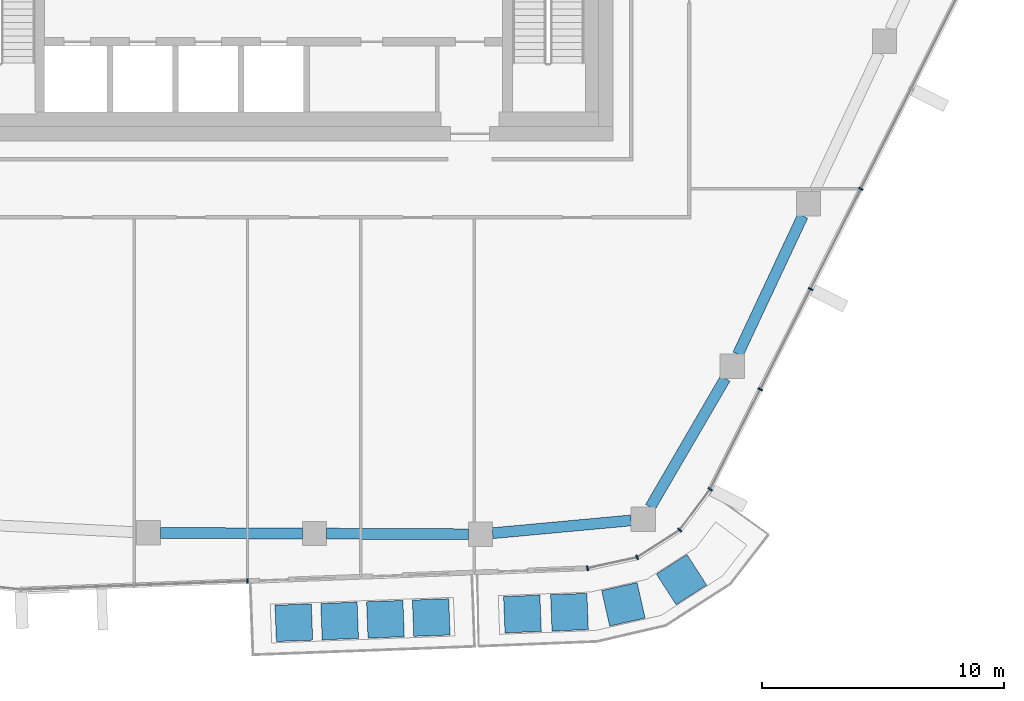
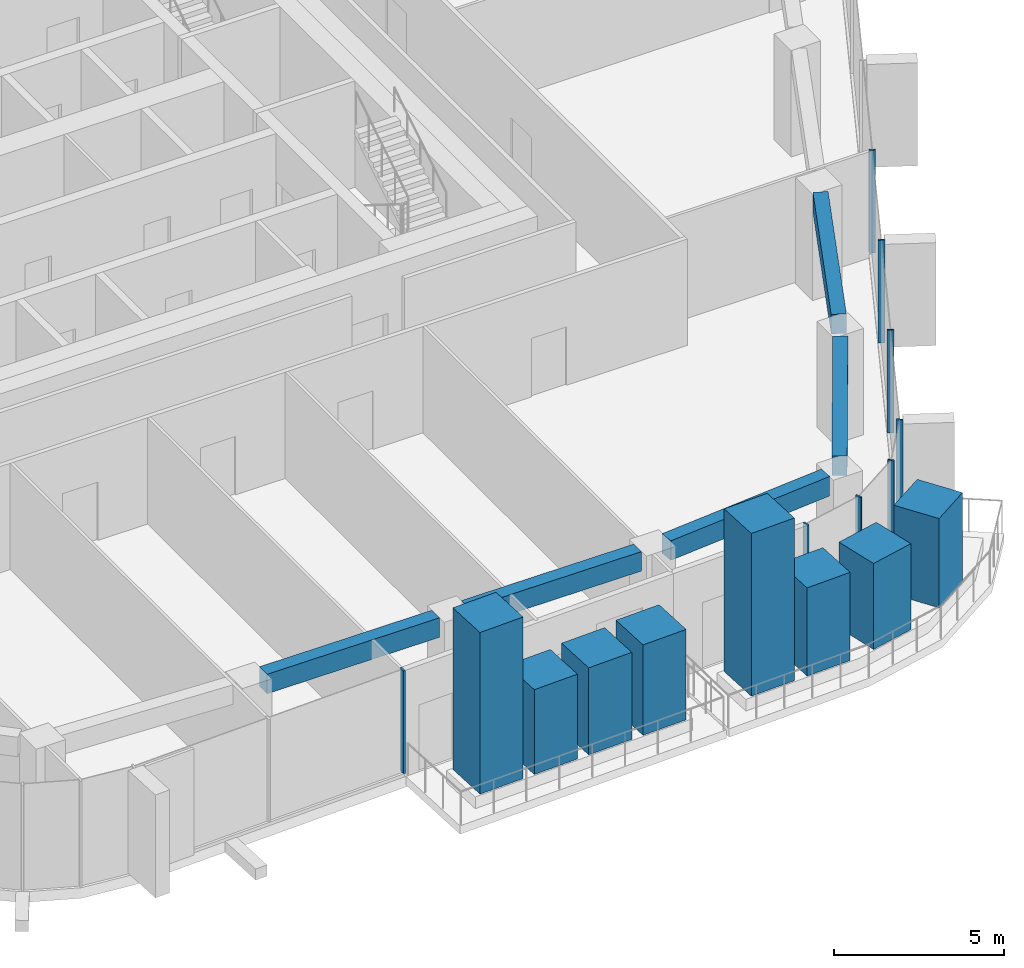
# One storey, part 4 of 23: 16 members, 5 beams, 3 elements without a shape of their own.
"""IFC4 building model written with IfcOpenShell, lengths in metres."""

import ifcopenshell
import ifcopenshell.guid

model = None  # the IFC model being written
_history = None  # IfcOwnerHistory: only IFC2X3 demands one
_inside = {}  # id of a spatial element -> (the spatial element, [elements in it])
_under = {}  # id of a project, library or spatial element -> (it, [spatial elements below it])
_declared = {}  # id of a project -> (the project, [libraries it declares])
_typed = {}  # id of a type object -> (the type object, [elements of that type])
_made_of = {}  # id of a material, layer set ... -> (it, [elements and type objects made of it])


def new_model(schema):
    """Start an empty IFC model of exactly this schema.

    Asked for "IFC4X3", IfcOpenShell would pick the latest addendum, in which some entities
    have other attributes; the version numbers below select the first issue.
    IFC2X3 requires an IfcOwnerHistory on every rooted entity: one is made here for all.
    """
    global model, _history
    if schema == "IFC4X3":
        model = ifcopenshell.file(schema_version=(4, 3, 0, 0))
    else:
        model = ifcopenshell.file(schema=schema)
    _inside.clear()
    _under.clear()
    _declared.clear()
    _typed.clear()
    _made_of.clear()
    _history = None
    if model.schema == "IFC2X3":
        org = make("IfcOrganization", Name="unknown")
        user = make(
            "IfcPersonAndOrganization",
            ThePerson=make("IfcPerson", FamilyName="unknown"),
            TheOrganization=org,
        )
        app = make(
            "IfcApplication",
            ApplicationDeveloper=org,
            Version="unknown",
            ApplicationFullName="unknown",
            ApplicationIdentifier="unknown",
        )
        _history = make(
            "IfcOwnerHistory",
            OwningUser=user,
            OwningApplication=app,
            ChangeAction="ADDED",
            CreationDate=0,
        )
    return model


def make(cls, **values):
    """One entity of the class cls with the attributes given. An attribute that is None is left unset."""
    return model.create_entity(
        cls, **{name: value for name, value in values.items() if value is not None}
    )


def rooted(cls, **values):
    """An entity with a GlobalId (a new one), such as an element, a storey or a relation."""
    return make(cls, GlobalId=ifcopenshell.guid.new(), OwnerHistory=_history, **values)


def si_unit(unit_type, name, prefix=None):
    """IfcSIUnit, for example si_unit("LENGTHUNIT", "METRE", prefix="MILLI")."""
    return make("IfcSIUnit", UnitType=unit_type, Prefix=prefix, Name=name)


def assignment(units):
    """IfcUnitAssignment: the units of a project."""
    return None if units is None else make("IfcUnitAssignment", Units=units)


def point(xyz):
    """IfcCartesianPoint."""
    return None if xyz is None else make("IfcCartesianPoint", Coordinates=xyz)


def direction(xyz):
    """IfcDirection."""
    return None if xyz is None else make("IfcDirection", DirectionRatios=xyz)


def frame(location, z_axis=None, x_axis=None):
    """IfcAxis2Placement3D, a coordinate frame: its origin and axes. An axis left out is left unset."""
    return make(
        "IfcAxis2Placement3D",
        Location=point(location),
        Axis=direction(z_axis),
        RefDirection=direction(x_axis),
    )


def frame_2d(location, x_axis=None):
    """IfcAxis2Placement2D, a coordinate frame in the plane: its origin and x axis."""
    return make(
        "IfcAxis2Placement2D", Location=point(location), RefDirection=direction(x_axis)
    )


def origin():
    """The frame at (0, 0, 0) with its axes left unset."""
    return frame((0.0, 0.0, 0.0))


def origin_2d():
    """The frame at (0, 0) in the plane with its x axis left unset."""
    return frame_2d((0.0, 0.0))


def place(relative_to, where):
    """IfcLocalPlacement: puts the frame where relative to a parent placement (None: the world)."""
    return make(
        "IfcLocalPlacement", PlacementRelTo=relative_to, RelativePlacement=where
    )


def context(
    kind, dimensions, precision=None, world=None, true_north=None, identifier=None
):
    """IfcGeometricRepresentationContext, for example the 3D "Model" context."""
    return make(
        "IfcGeometricRepresentationContext",
        ContextIdentifier=identifier,
        ContextType=kind,
        CoordinateSpaceDimension=dimensions,
        Precision=precision,
        WorldCoordinateSystem=world,
        TrueNorth=true_north,
    )


def subcontext(parent, identifier, kind, view, scale=None):
    """IfcGeometricRepresentationSubContext, for example "Body" below "Model"."""
    return make(
        "IfcGeometricRepresentationSubContext",
        ContextIdentifier=identifier,
        ContextType=kind,
        ParentContext=parent,
        TargetScale=scale,
        TargetView=view,
    )


def project(units=None, contexts=None):
    """IfcProject with its units and contexts."""
    return rooted(
        "IfcProject",
        Name="project",
        RepresentationContexts=contexts,
        UnitsInContext=assignment(units),
    )


def spatial(cls, under=None, at=None, **own):
    """A site, building, storey or space (cls), placed at a placement, below another one or the project."""
    s = rooted(cls, ObjectPlacement=at, **own)
    if under is not None:
        _under.setdefault(under.id(), (under, []))[1].append(s)
    return s


def profile(cls, at=None, kind="AREA", **sizes):
    """A parametric profile (cls). Its sizes go by their IFC names, for example OverallWidth=200.0."""
    return make(cls, ProfileType=kind, Position=at, **sizes)


def rectangle(**sizes):
    """IfcRectangleProfileDef."""
    return profile("IfcRectangleProfileDef", **sizes)


def extrude(swept, where, along, depth):
    """IfcExtrudedAreaSolid: the profile swept, set in the frame where, extruded along a direction by depth."""
    return make(
        "IfcExtrudedAreaSolid",
        SweptArea=swept,
        Position=where,
        ExtrudedDirection=direction(along),
        Depth=depth,
    )


def shape(context_of_items, identifier, shape_type, items):
    """IfcShapeRepresentation: the items that make up one representation, for example the "Body"."""
    return make(
        "IfcShapeRepresentation",
        ContextOfItems=context_of_items,
        RepresentationIdentifier=identifier,
        RepresentationType=shape_type,
        Items=items,
    )


def material(Name=None, Category=None):
    """IfcMaterial."""
    return make("IfcMaterial", Name=Name, Category=Category)


def layer(
    of_material, thickness, ventilated=None, Name=None, Category=None, Priority=None
):
    """IfcMaterialLayer: one layer of a wall or slab, of a material (None: an air gap)."""
    return make(
        "IfcMaterialLayer",
        Material=of_material,
        LayerThickness=thickness,
        IsVentilated=ventilated,
        Name=Name,
        Category=Category,
        Priority=Priority,
    )


def layer_set(layers, Name=None):
    """IfcMaterialLayerSet."""
    return make("IfcMaterialLayerSet", MaterialLayers=layers, LayerSetName=Name)


def material_profile(
    of_material, cross_section, Name=None, Category=None, Priority=None
):
    """IfcMaterialProfile: a cross section and its material."""
    return make(
        "IfcMaterialProfile",
        Name=Name,
        Material=of_material,
        Profile=cross_section,
        Priority=Priority,
        Category=Category,
    )


def profile_set(profiles, Name=None, composite=None):
    """IfcMaterialProfileSet."""
    return make(
        "IfcMaterialProfileSet",
        Name=Name,
        MaterialProfiles=profiles,
        CompositeProfile=composite,
    )


def made_of(thing, what):
    """Note that an element or type object is made of a material, layer set ...; save() writes the relation."""
    if what is not None:
        _made_of.setdefault(what.id(), (what, []))[1].append(thing)
    return thing


def type_object(cls, material=None, **own):
    """A type object (cls), such as IfcWallType, which elements share."""
    return made_of(rooted(cls, **own), material)


def element(
    cls,
    number,
    at=None,
    inside=None,
    cuts=None,
    type_object=None,
    material=None,
    context=None,
    identifier="Body",
    shape_type=None,
    held_by="IfcProductDefinitionShape",
    body=None,
    shapes=None,
    **own,
):
    """One element of the class cls, such as IfcWall. Its Tag is "e" and its number.

    at: its placement. inside: the storey or other place that contains it. cuts: it is an
    opening in that element (IfcRelVoidsElement). A single representation is given by context,
    identifier, shape_type and body (its items); several are given by shapes. held_by: the class
    of the entity that holds the representations. save() writes the other relations.
    """
    e = rooted(cls, Tag="e%d" % number, ObjectPlacement=at, **own)
    if body is not None:
        shapes = [shape(context, identifier, shape_type, body)]
    if shapes is not None:
        e.Representation = make(held_by, Representations=shapes)
    if inside is not None:
        _inside.setdefault(inside.id(), (inside, []))[1].append(e)
    if cuts is not None:
        rooted(
            "IfcRelVoidsElement", RelatingBuildingElement=cuts, RelatedOpeningElement=e
        )
    if type_object is not None:
        _typed.setdefault(type_object.id(), (type_object, []))[1].append(e)
    return made_of(e, material)


def aggregate(whole, parts):
    """IfcRelAggregates: a whole, such as a stair, and the parts it consists of."""
    return rooted("IfcRelAggregates", RelatingObject=whole, RelatedObjects=parts)


def save(model, path):
    """Write the relations noted so far, then the file.

    IfcRelAggregates (storeys below a building ...), IfcRelContainedInSpatialStructure (elements
    in a storey), IfcRelDefinesByType, IfcRelAssociatesMaterial and IfcRelDeclares: one each for
    every whole, place, type object, material and project.
    """
    for whole, parts in _under.values():
        aggregate(whole, parts)
    for where, things in _inside.values():
        rooted(
            "IfcRelContainedInSpatialStructure",
            RelatedElements=things,
            RelatingStructure=where,
        )
    for kind, things in _typed.values():
        rooted("IfcRelDefinesByType", RelatedObjects=things, RelatingType=kind)
    for what, things in _made_of.values():
        rooted("IfcRelAssociatesMaterial", RelatedObjects=things, RelatingMaterial=what)
    for by, libraries in _declared.values():
        rooted("IfcRelDeclares", RelatingContext=by, RelatedDefinitions=libraries)
    model.write(path)


model = new_model("IFC4")

# Units and contexts
model_context = context("Model", 3, precision=1e-05, world=origin(), true_north=direction((0.0, 1.0)))
body_context = subcontext(model_context, "Body", "Model", "MODEL_VIEW")
ifc_project = project(units=[si_unit("LENGTHUNIT", "METRE"), si_unit("AREAUNIT", "SQUARE_METRE"), si_unit("VOLUMEUNIT", "CUBIC_METRE"), si_unit("PLANEANGLEUNIT", "RADIAN"), si_unit("MASSUNIT", "GRAM", prefix="KILO")], contexts=[model_context])

# Site, building, storey
site_placement = place(None, origin())
site = spatial("IfcSite", under=ifc_project, at=site_placement, CompositionType="ELEMENT")
building_placement = place(site_placement, origin())
building = spatial("IfcBuilding", under=site, at=building_placement, Name="Dongbaek Canopy Tower", CompositionType="ELEMENT")
storey_placement = place(building_placement, frame((0.0, 0.0, 315.199951171875)))
storey = spatial("IfcBuildingStorey", under=building, at=storey_placement, Name="L67", CompositionType="ELEMENT", Elevation=315.199951171875)

# Curtain wall, member
ifc_material_1 = material(Name="Aluminium 6063-T6 pale anodised", Category="aluminium")
ifc_layer = layer(ifc_material_1, 0.199951171875)
ifc_layer_set = layer_set([ifc_layer], Name="CW-1 unitised tower curtain wall")
curtain_wall_type = type_object("IfcCurtainWallType", Name="CW-1 unitised tower curtain wall", PredefinedType="NOTDEFINED", material=ifc_layer_set)
curtain_wall_1_placement = place(storey_placement, origin())
curtain_wall_1 = element("IfcCurtainWall", 1, at=curtain_wall_1_placement, inside=storey, type_object=curtain_wall_type, Name="CW-1 curtain wall F4.1", PredefinedType="NOTDEFINED")
ifc_material_2 = material(Name="Aluminium 6063-T6 pale anodised", Category="aluminium")
ifc_material_profile_1 = material_profile(ifc_material_2, rectangle(XDim=0.199951171875, YDim=0.06005859375, at=origin_2d()), Name="CW-1 mullion 60 x 200")
ifc_profile_set_1 = profile_set([ifc_material_profile_1], Name="Aluminium 6063-T6 pale anodised")
member_type_1 = type_object("IfcMemberType", Name="CW-1 mullion 60 x 200", PredefinedType="MULLION", material=ifc_profile_set_1)
member_1_placement = place(storey_placement, frame((-1.078857421875, -29.155517578125, 0.1201171875), z_axis=(0.0, 0.0, 1.0), x_axis=(0.037712000431, -0.999288649502, 0.0)))
member_1 = element("IfcMember", 2, at=member_1_placement, type_object=member_type_1, Name="CW-1 mullion F4.1.3", PredefinedType="MULLION", context=body_context, shape_type="SweptSolid", body=[
    extrude(rectangle(XDim=0.199951171875, YDim=0.06005859375, at=origin_2d()), origin(), (0.0, 0.0, 1.0), 3.699951171875),
])
aggregate(curtain_wall_1, [member_1])

# Curtain wall, members
curtain_wall_2_placement = place(storey_placement, origin())
curtain_wall_2 = element("IfcCurtainWall", 3, at=curtain_wall_2_placement, inside=storey, type_object=curtain_wall_type, Name="CW-1 curtain wall K5.1", PredefinedType="NOTDEFINED")
member_2_placement = place(storey_placement, frame((12.949951171875, -28.6259765625, 0.0), z_axis=(0.0, 0.0, 1.0), x_axis=(0.21403199366, -0.976826650788, 0.0)))
member_2 = element("IfcMember", 4, at=member_2_placement, type_object=member_type_1, Name="CW-1 mullion K5.1.1", PredefinedType="MULLION", context=body_context, shape_type="SweptSolid", body=[
    extrude(rectangle(XDim=0.199951171875, YDim=0.06005859375, at=origin_2d()), origin(), (0.0, 0.0, 1.0), 3.820068359375),
])
member_3_placement = place(storey_placement, frame((14.9990234375, -28.177001953125, 0.0), z_axis=(0.0, 0.0, 1.0), x_axis=(0.383590013884, -0.923503492819, 0.0)))
member_3 = element("IfcMember", 5, at=member_3_placement, type_object=member_type_1, Name="CW-1 mullion K5.1.2", PredefinedType="MULLION", context=body_context, shape_type="SweptSolid", body=[
    extrude(rectangle(XDim=0.199951171875, YDim=0.06005859375, at=origin_2d()), origin(), (0.0, 0.0, 1.0), 3.820068359375),
])
member_4_placement = place(storey_placement, frame((16.75537109375, -27.047119140625, 0.0), z_axis=(0.0, 0.0, 1.0), x_axis=(0.681375433119, -0.731934094807, 0.0)))
member_4 = element("IfcMember", 6, at=member_4_placement, type_object=member_type_1, Name="CW-1 mullion K5.1.3", PredefinedType="MULLION", context=body_context, shape_type="SweptSolid", body=[
    extrude(rectangle(XDim=0.199951171875, YDim=0.06005859375, at=origin_2d()), origin(), (0.0, 0.0, 1.0), 3.820068359375),
])
member_5_placement = place(storey_placement, frame((18.013427734375, -25.36865234375, 0.0), z_axis=(0.0, 0.0, 1.0), x_axis=(0.800194813584, -0.599740160664, 0.0)))
member_5 = element("IfcMember", 7, at=member_5_placement, type_object=member_type_1, Name="CW-1 mullion K5.1.4", PredefinedType="MULLION", context=body_context, shape_type="SweptSolid", body=[
    extrude(rectangle(XDim=0.199951171875, YDim=0.06005859375, at=origin_2d()), origin(), (0.0, 0.0, 1.0), 3.820068359375),
])
aggregate(curtain_wall_2, [member_2, member_3, member_4, member_5])

curtain_wall_3_placement = place(storey_placement, origin())
curtain_wall_3 = element("IfcCurtainWall", 8, at=curtain_wall_3_placement, inside=storey, type_object=curtain_wall_type, Name="CW-1 curtain wall F5.1", PredefinedType="NOTDEFINED")
member_6_placement = place(storey_placement, frame((20.08447265625, -21.24267578125, 0.1201171875), z_axis=(0.0, 0.0, 1.0), x_axis=(0.893733414129, -0.448598466859, 0.0)))
member_6 = element("IfcMember", 9, at=member_6_placement, type_object=member_type_1, Name="CW-1 mullion F5.1.2", PredefinedType="MULLION", context=body_context, shape_type="SweptSolid", body=[
    extrude(rectangle(XDim=0.199951171875, YDim=0.06005859375, at=origin_2d()), origin(), (0.0, 0.0, 1.0), 3.699951171875),
])
member_7_placement = place(storey_placement, frame((22.159423828125, -17.10888671875, 0.1201171875), z_axis=(0.0, 0.0, 1.0), x_axis=(0.893733414129, -0.448598466859, 0.0)))
member_7 = element("IfcMember", 10, at=member_7_placement, type_object=member_type_1, Name="CW-1 mullion F5.1.3", PredefinedType="MULLION", context=body_context, shape_type="SweptSolid", body=[
    extrude(rectangle(XDim=0.199951171875, YDim=0.06005859375, at=origin_2d()), origin(), (0.0, 0.0, 1.0), 3.699951171875),
])
member_8_placement = place(storey_placement, frame((24.234375, -12.97509765625, 0.1201171875), z_axis=(0.0, 0.0, 1.0), x_axis=(0.893733414129, -0.448598466859, 0.0)))
member_8 = element("IfcMember", 11, at=member_8_placement, type_object=member_type_1, Name="CW-1 mullion F5.1.4", PredefinedType="MULLION", context=body_context, shape_type="SweptSolid", body=[
    extrude(rectangle(XDim=0.199951171875, YDim=0.06005859375, at=origin_2d()), origin(), (0.0, 0.0, 1.0), 3.699951171875),
])
aggregate(curtain_wall_3, [member_6, member_7, member_8])

# Beams
ifc_material_3 = material(Name="Concrete C60", Category="concrete")
ifc_material_profile_2 = material_profile(ifc_material_3, rectangle(XDim=0.449951171875, YDim=0.699951171875, at=origin_2d()), Name="RC EDGE BEAM 450x700 C60")
ifc_profile_set_2 = profile_set([ifc_material_profile_2], Name="Concrete C60")
beam_type = type_object("IfcBeamType", Name="RC EDGE BEAM 450x700 C60", PredefinedType="BEAM", material=ifc_profile_set_2)
beam_1_placement = place(storey_placement, frame((14.751953125, -26.653076171875, 3.469970703125), z_axis=(-0.995766439544, -0.091919518479, 0.0), x_axis=(0.091919518479, -0.995766439544, 0.0)))
element("IfcBeam", 12, at=beam_1_placement, inside=storey, type_object=beam_type, Name="EDGEBEAM:L67:00", PredefinedType="BEAM", context=body_context, shape_type="SweptSolid", body=[
    extrude(rectangle(XDim=0.449951171875, YDim=0.699951171875, at=origin_2d()), origin(), (0.0, 0.0, 1.0), 5.742431640625),
])
beam_2_placement = place(storey_placement, frame((8.033935546875, -27.224853515625, 3.469970703125), z_axis=(-0.999990401851, 0.004381347473, 0.0), x_axis=(-0.004381347473, -0.999990401851, 0.0)))
element("IfcBeam", 13, at=beam_2_placement, inside=storey, type_object=beam_type, Name="EDGEBEAM:L67:01", PredefinedType="BEAM", context=body_context, shape_type="SweptSolid", body=[
    extrude(rectangle(XDim=0.449951171875, YDim=0.699951171875, at=origin_2d()), origin(), (0.0, 0.0, 1.0), 5.850830078125),
])
beam_3_placement = place(storey_placement, frame((1.18310546875, -27.19482421875, 3.469970703125), z_axis=(-0.999990396242, 0.004382627582, 0.0), x_axis=(-0.004382627582, -0.999990396242, 0.0)))
element("IfcBeam", 14, at=beam_3_placement, inside=storey, type_object=beam_type, Name="EDGEBEAM:L67:02", PredefinedType="BEAM", context=body_context, shape_type="SweptSolid", body=[
    extrude(rectangle(XDim=0.449951171875, YDim=0.699951171875, at=origin_2d()), origin(), (0.0, 0.0, 1.0), 5.84912109375),
])
beam_4_placement = place(storey_placement, frame((21.833740234375, -14.087890625, 3.469970703125), z_axis=(-0.424294949226, -0.905524044993, 0.0), x_axis=(0.905524044993, -0.424294949226, 0.0)))
element("IfcBeam", 15, at=beam_4_placement, inside=storey, type_object=beam_type, Name="EDGEBEAM:L67:24", PredefinedType="BEAM", context=body_context, shape_type="SweptSolid", body=[
    extrude(rectangle(XDim=0.449951171875, YDim=0.699951171875, at=origin_2d()), origin(), (0.0, 0.0, 1.0), 6.303466796875),
])
beam_5_placement = place(storey_placement, frame((18.634033203125, -20.7958984375, 3.469970703125), z_axis=(-0.503016078482, -0.864277053258, 0.0), x_axis=(0.864277053258, -0.503016078482, 0.0)))
element("IfcBeam", 16, at=beam_5_placement, inside=storey, type_object=beam_type, Name="EDGEBEAM:L67:25", PredefinedType="BEAM", context=body_context, shape_type="SweptSolid", body=[
    extrude(rectangle(XDim=0.449951171875, YDim=0.699951171875, at=origin_2d()), origin(), (0.0, 0.0, 1.0), 6.14501953125),
])

# Members
ifc_material_4 = material(Name="Concrete C40/50 planter mass with planting", Category="concrete")
ifc_material_profile_3 = material_profile(ifc_material_4, rectangle(XDim=1.5, YDim=1.5, at=origin_2d()), Name="Terrace PLANTER shrub mass 1500 x 1500")
ifc_profile_set_3 = profile_set([ifc_material_profile_3], Name="Concrete C40/50 planter mass with planting")
member_type_2 = type_object("IfcMemberType", Name="Terrace PLANTER shrub mass 1500 x 1500", PredefinedType="USERDEFINED", material=ifc_profile_set_3)
member_9_placement = place(storey_placement, frame((0.8330078125, -30.87451171875, 0.420166015625), z_axis=(0.0, 0.0, 1.0), x_axis=(0.037712000431, -0.999288649502, 0.0)))
element("IfcMember", 17, at=member_9_placement, inside=storey, type_object=member_type_2, Name="Planter tree L67 4.1", ObjectType="PLANTER", PredefinedType="USERDEFINED", context=body_context, shape_type="SweptSolid", body=[
    extrude(rectangle(XDim=1.5, YDim=1.5, at=origin_2d()), origin(), (0.0, 0.0, 1.0), 5.809814453125),
])
member_10_placement = place(storey_placement, frame((2.722900390625, -30.80322265625, 0.420166015625), z_axis=(0.0, 0.0, 1.0), x_axis=(0.037712000431, -0.999288649502, 0.0)))
element("IfcMember", 18, at=member_10_placement, inside=storey, type_object=member_type_2, Name="Planter shrubs L67 4.2", ObjectType="PLANTER", PredefinedType="USERDEFINED", context=body_context, shape_type="SweptSolid", body=[
    extrude(rectangle(XDim=1.5, YDim=1.5, at=origin_2d()), origin(), (0.0, 0.0, 1.0), 3.0498046875),
])
member_11_placement = place(storey_placement, frame((4.61279296875, -30.73193359375, 0.420166015625), z_axis=(0.0, 0.0, 1.0), x_axis=(0.037712000431, -0.999288649502, 0.0)))
element("IfcMember", 19, at=member_11_placement, inside=storey, type_object=member_type_2, Name="Planter shrubs L67 4.3", ObjectType="PLANTER", PredefinedType="USERDEFINED", context=body_context, shape_type="SweptSolid", body=[
    extrude(rectangle(XDim=1.5, YDim=1.5, at=origin_2d()), origin(), (0.0, 0.0, 1.0), 3.1298828125),
])
member_12_placement = place(storey_placement, frame((6.502685546875, -30.66064453125, 0.420166015625), z_axis=(0.0, 0.0, 1.0), x_axis=(0.037712000431, -0.999288649502, 0.0)))
element("IfcMember", 20, at=member_12_placement, inside=storey, type_object=member_type_2, Name="Planter shrubs L67 4.4", ObjectType="PLANTER", PredefinedType="USERDEFINED", context=body_context, shape_type="SweptSolid", body=[
    extrude(rectangle(XDim=1.5, YDim=1.5, at=origin_2d()), origin(), (0.0, 0.0, 1.0), 3.25),
])
member_13_placement = place(storey_placement, frame((10.266357421875, -30.516845703125, 0.420166015625), z_axis=(0.0, 0.0, 1.0), x_axis=(0.039433003333, -0.999222216651, 0.0)))
element("IfcMember", 21, at=member_13_placement, inside=storey, type_object=member_type_2, Name="Planter tree L67 7.1", ObjectType="PLANTER", PredefinedType="USERDEFINED", context=body_context, shape_type="SweptSolid", body=[
    extrude(rectangle(XDim=1.5, YDim=1.5, at=origin_2d()), origin(), (0.0, 0.0, 1.0), 5.849853515625),
])
member_14_placement = place(storey_placement, frame((12.206298828125, -30.4404296875, 0.420166015625), z_axis=(0.0, 0.0, 1.0), x_axis=(0.039433003333, -0.999222216651, 0.0)))
element("IfcMember", 22, at=member_14_placement, inside=storey, type_object=member_type_2, Name="Planter shrubs L67 7.2", ObjectType="PLANTER", PredefinedType="USERDEFINED", context=body_context, shape_type="SweptSolid", body=[
    extrude(rectangle(XDim=1.5, YDim=1.5, at=origin_2d()), origin(), (0.0, 0.0, 1.0), 3.169921875),
])
member_15_placement = place(storey_placement, frame((14.43115234375, -30.116943359375, 0.420166015625), z_axis=(0.0, 0.0, 1.0), x_axis=(0.221618978148, -0.975133338844, 0.0)))
element("IfcMember", 23, at=member_15_placement, inside=storey, type_object=member_type_2, Name="Planter shrubs L67 7.3", ObjectType="PLANTER", PredefinedType="USERDEFINED", context=body_context, shape_type="SweptSolid", body=[
    extrude(rectangle(XDim=1.5, YDim=1.5, at=origin_2d()), origin(), (0.0, 0.0, 1.0), 3.08984375),
])
member_16_placement = place(storey_placement, frame((16.831298828125, -29.094970703125, 0.420166015625), z_axis=(0.0, 0.0, 1.0), x_axis=(0.541029166858, -0.841003829128, 0.0)))
element("IfcMember", 24, at=member_16_placement, inside=storey, type_object=member_type_2, Name="Planter shrubs L67 7.4", ObjectType="PLANTER", PredefinedType="USERDEFINED", context=body_context, shape_type="SweptSolid", body=[
    extrude(rectangle(XDim=1.5, YDim=1.5, at=origin_2d()), origin(), (0.0, 0.0, 1.0), 3.2099609375),
])

save(model, "model.ifc")
